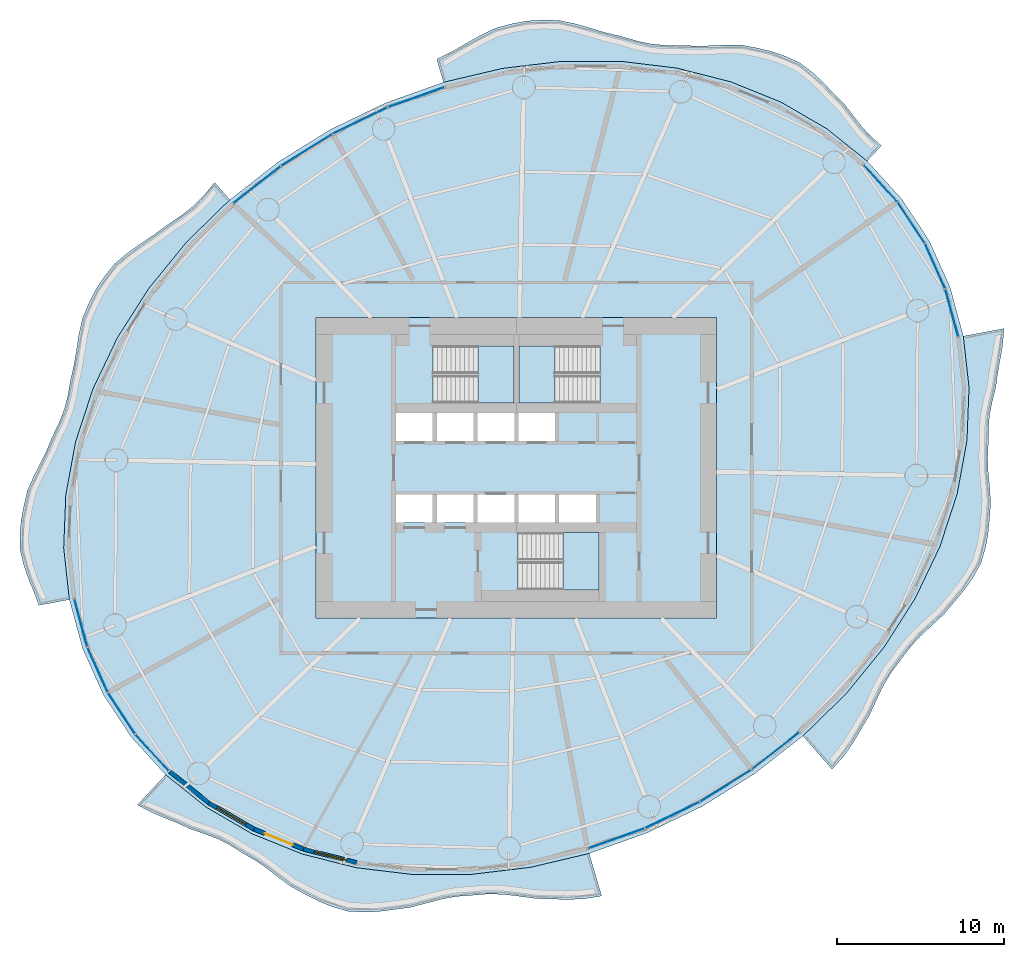
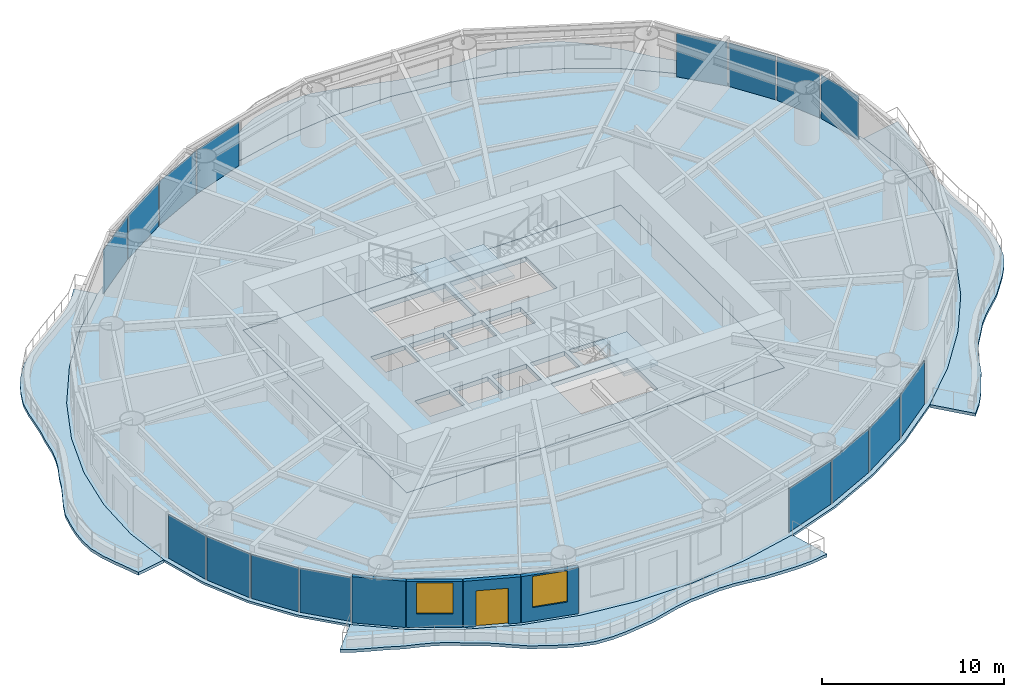
# One storey, part 7 of 14: 16 plates, 9 slabs, 4 walls, 2 windows, 1 door, 3 openings, 19 elements without a shape of their own.
"""IFC4 building model written with IfcOpenShell, lengths in metres."""

from ifc_helpers import new_model, si_unit, direction, frame, frame_2d, origin, origin_2d, place, context, subcontext, project, spatial, polyline, rectangle, outline, extrude, material, layer, layer_set, type_object, element, fill, aggregate, save


model = new_model("IFC4")

# Units and contexts
model_context = context("Model", 3, precision=1e-05, world=origin(), true_north=direction((0.0, 1.0)))
body_context = subcontext(model_context, "Body", "Model", "MODEL_VIEW")
ifc_project = project(units=[si_unit("LENGTHUNIT", "METRE"), si_unit("AREAUNIT", "SQUARE_METRE"), si_unit("VOLUMEUNIT", "CUBIC_METRE"), si_unit("PLANEANGLEUNIT", "RADIAN"), si_unit("MASSUNIT", "GRAM", prefix="KILO")], contexts=[model_context])

# Site, building, storey
site_placement = place(None, origin())
site = spatial("IfcSite", under=ifc_project, at=site_placement, CompositionType="ELEMENT")
building_placement = place(site_placement, origin())
building = spatial("IfcBuilding", under=site, at=building_placement, Name="Vermilion Reach Broadcast Tower", CompositionType="ELEMENT")
storey_placement = place(building_placement, frame((0.0, 0.0, 150.60009765625)))
storey = spatial("IfcBuildingStorey", under=building, at=storey_placement, Name="L35", CompositionType="ELEMENT", Elevation=150.60009765625)

# Slabs
ifc_material_1 = material(Name="Concrete C40/50", Category="concrete")
ifc_layer_1 = layer(ifc_material_1, 0.199951171875)
ifc_layer_set_1 = layer_set([ifc_layer_1], Name="Balcony slab 200")
slab_type_1 = type_object("IfcSlabType", Name="Balcony slab 200", PredefinedType="FLOOR", material=ifc_layer_set_1)
placement_1 = place(storey_placement, frame((0.0, 0.0, -0.2001953125)))
element("IfcSlab", 1, at=placement_1, inside=storey, type_object=slab_type_1, Name="Balcony slab L35 group 1", PredefinedType="FLOOR", context=body_context, shape_type="SweptSolid", body=[
    extrude(outline(polyline([(15.00537109375, 18.37841796875), (12.58544921875, 20.317138671875), (9.84765625, 21.907958984375), (6.838623046875, 23.1240234375), (3.60986328125, 23.944580078125), (0.216552734375, 24.355224609375), (-3.282958984375, 24.349365234375), (-6.828857421875, 23.9267578125), (-10.36083984375, 23.0947265625), (-10.76953125, 24.48388671875), (-9.861328125, 24.930419921875), (-9.0400390625, 25.400390625), (-8.218994140625, 25.87158203125), (-7.254638671875, 26.335205078125), (-6.24951171875, 26.6083984375), (-5.36962890625, 26.769287109375), (-4.477294921875, 26.826171875), (-3.4306640625, 26.80322265625), (-2.411865234375, 26.587890625), (-1.53662109375, 26.330810546875), (-0.6611328125, 26.06982421875), (0.304931640625, 25.842529296875), (1.224365234375, 25.570556640625), (2.06396484375, 25.39453125), (2.914794921875, 25.3134765625), (3.865478515625, 25.313720703125), (4.804931640625, 25.2666015625), (5.669921875, 25.2890625), (6.53955078125, 25.3291015625), (7.556396484375, 25.31640625), (8.523681640625, 25.128173828125), (9.3212890625, 24.9365234375), (10.08837890625, 24.6689453125), (10.99462890625, 24.251220703125), (11.77685546875, 23.652587890625), (12.367431640625, 23.09326171875), (12.93798828125, 22.4990234375), (13.619140625, 21.824951171875), (14.192138671875, 21.08251953125), (14.683349609375, 20.4560546875), (15.212158203125, 19.87646484375), (15.86279296875, 19.293701171875), (15.00537109375, 18.37841796875)])), origin(), (0.0, 0.0, 1.0), 0.2001953125),
])
element("IfcSlab", 2, at=placement_1, inside=storey, type_object=slab_type_1, Name="Balcony slab L35 group 2", PredefinedType="FLOOR", context=body_context, shape_type="SweptSolid", body=[
    extrude(outline(polyline([(-23.162841796875, 16.056640625), (-25.7578125, 13.5205078125), (-28.0146484375, 10.7529296875), (-29.89501953125, 7.80126953125), (-31.3662109375, 4.71630859375), (-32.403564453125, 1.550537109375), (-32.989013671875, -1.6416015625), (-33.11279296875, -4.805908203125), (-32.772705078125, -7.887939453125), (-34.5986328125, -8.233642578125), (-34.933349609375, -7.346435546875), (-35.237060546875, -6.60009765625), (-35.500244140625, -5.84912109375), (-35.724365234375, -4.8984375), (-35.72998046875, -3.911376953125), (-35.660400390625, -3.121826171875), (-35.512939453125, -2.335205078125), (-35.294677734375, -1.386474609375), (-34.892333984375, -0.4677734375), (-34.50341796875, 0.285888671875), (-34.12841796875, 1.0419921875), (-33.778076171875, 1.900146484375), (-33.36962890625, 2.74365234375), (-33.072998046875, 3.522705078125), (-32.86328125, 4.330322265625), (-32.704833984375, 5.25244140625), (-32.486328125, 6.197265625), (-32.3447265625, 7.076416015625), (-32.209716796875, 7.958740234375), (-31.986083984375, 8.96044921875), (-31.5830078125, 9.9140625), (-31.1845703125, 10.697509765625), (-30.701904296875, 11.42724609375), (-30.0576171875, 12.228759765625), (-29.24609375, 12.9091796875), (-28.4853515625, 13.440673828125), (-27.711181640625, 13.96142578125), (-26.900146484375, 14.564697265625), (-26.05712890625, 15.12451171875), (-25.340576171875, 15.689208984375), (-24.69873046875, 16.330078125), (-24.075927734375, 17.099609375), (-23.162841796875, 16.056640625)])), origin(), (0.0, 0.0, 1.0), 0.2001953125),
])
element("IfcSlab", 3, at=placement_1, inside=storey, type_object=slab_type_1, Name="Balcony slab L35 group 3", PredefinedType="FLOOR", context=body_context, shape_type="SweptSolid", body=[
    extrude(outline(polyline([(-27.00537109375, -18.37841796875), (-24.58544921875, -20.317138671875), (-21.84765625, -21.907958984375), (-18.838623046875, -23.1240234375), (-15.60986328125, -23.944580078125), (-12.216552734375, -24.355224609375), (-8.717041015625, -24.349365234375), (-5.171142578125, -23.9267578125), (-1.63916015625, -23.0947265625), (-0.890380859375, -25.63916015625), (-1.931396484375, -25.81005859375), (-2.853271484375, -25.853515625), (-3.791259765625, -25.828125), (-4.8408203125, -25.79443359375), (-5.8642578125, -25.65380859375), (-6.776123046875, -25.5478515625), (-7.678466796875, -25.5205078125), (-8.6416015625, -25.600830078125), (-9.589599609375, -25.67041015625), (-10.46435546875, -25.830810546875), (-11.3388671875, -26.058837890625), (-12.33349609375, -26.322509765625), (-13.331787109375, -26.457275390625), (-14.2060546875, -26.569580078125), (-15.072265625, -26.615234375), (-16.09716796875, -26.553955078125), (-17.0615234375, -26.27587890625), (-17.83935546875, -25.955322265625), (-18.599609375, -25.565673828125), (-19.484130859375, -25.095947265625), (-20.274169921875, -24.5107421875), (-20.93994140625, -23.99267578125), (-21.622314453125, -23.515869140625), (-22.4150390625, -23.06689453125), (-23.16015625, -22.591064453125), (-23.86767578125, -22.23291015625), (-24.61376953125, -21.94140625), (-25.4951171875, -21.64404296875), (-26.332275390625, -21.257568359375), (-27.08447265625, -20.956787109375), (-27.828857421875, -20.646240234375), (-28.69873046875, -20.186279296875), (-27.00537109375, -18.37841796875)])), origin(), (0.0, 0.0, 1.0), 0.2001953125),
])
element("IfcSlab", 4, at=placement_1, inside=storey, type_object=slab_type_1, Name="Balcony slab L35 group 4", PredefinedType="FLOOR", context=body_context, shape_type="SweptSolid", body=[
    extrude(outline(polyline([(11.162841796875, -16.056640625), (13.7578125, -13.5205078125), (16.0146484375, -10.7529296875), (17.89501953125, -7.80126953125), (19.3662109375, -4.71630859375), (20.403564453125, -1.550537109375), (20.989013671875, 1.6416015625), (21.11279296875, 4.805908203125), (20.772705078125, 7.887939453125), (23.20703125, 8.348876953125), (23.12939453125, 7.3681640625), (22.992919921875, 6.572998046875), (22.84375, 5.77685546875), (22.7216796875, 4.86279296875), (22.500244140625, 3.959228515625), (22.34619140625, 3.173095703125), (22.269287109375, 2.3837890625), (22.271484375, 1.499755859375), (22.225341796875, 0.590087890625), (22.26220703125, -0.24169921875), (22.3427734375, -1.081298828125), (22.41357421875, -2.061767578125), (22.336181640625, -3.060302734375), (22.25830078125, -3.9111328125), (22.1123046875, -4.73974609375), (21.83056640625, -5.702880859375), (21.333740234375, -6.601318359375), (20.8310546875, -7.308349609375), (20.267822265625, -7.986328125), (19.619384765625, -8.757080078125), (18.863525390625, -9.455810546875), (18.2021484375, -10.07177734375), (17.59814453125, -10.724365234375), (17.031005859375, -11.4873046875), (16.44677734375, -12.25732421875), (15.986083984375, -13.033447265625), (15.5869140625, -13.860107421875), (15.1572265625, -14.799560546875), (14.623291015625, -15.70361328125), (14.142333984375, -16.50927734375), (13.61181640625, -17.2646484375), (12.909912109375, -18.05224609375), (11.162841796875, -16.056640625)])), origin(), (0.0, 0.0, 1.0), 0.2001953125),
])
ifc_material_2 = material(Name="Concrete C40", Category="concrete")
ifc_layer_2 = layer(ifc_material_2, 0.300048828125)
ifc_layer_set_2 = layer_set([ifc_layer_2], Name="Core floor slab 300 mm Concrete C40")
slab_type_2 = type_object("IfcSlabType", Name="Core floor slab 300 mm Concrete C40", PredefinedType="FLOOR", material=ifc_layer_set_2)
slab_5_placement = place(storey_placement, frame((0.0, 0.0, -0.300048828125)))
element("IfcSlab", 5, at=slab_5_placement, inside=storey, type_object=slab_type_2, Name="L35 core floor", PredefinedType="FLOOR", context=body_context, shape_type="SweptSolid", body=[
    extrude(outline(polyline([(-18.0, -9.0), (6.0, -9.0), (6.0, 9.0), (-18.0, 9.0), (-18.0, -9.0)]), holes=[polyline([(-13.199951171875, 1.60009765625), (-11.00830078125, 1.60009765625), (-11.00830078125, 3.280029296875), (-13.199951171875, 3.280029296875), (-13.199951171875, 1.60009765625)]), polyline([(-10.75830078125, 1.60009765625), (-8.566650390625, 1.60009765625), (-8.566650390625, 3.280029296875), (-10.75830078125, 3.280029296875), (-10.75830078125, 1.60009765625)]), polyline([(-8.316650390625, 1.60009765625), (-6.125, 1.60009765625), (-6.125, 3.280029296875), (-8.316650390625, 3.280029296875), (-8.316650390625, 1.60009765625)]), polyline([(-5.875, 1.60009765625), (-3.683349609375, 1.60009765625), (-3.683349609375, 3.280029296875), (-5.875, 3.280029296875), (-5.875, 1.60009765625)]), polyline([(-13.199951171875, -3.280029296875), (-11.00830078125, -3.280029296875), (-11.00830078125, -1.60009765625), (-13.199951171875, -1.60009765625), (-13.199951171875, -3.280029296875)]), polyline([(-10.75830078125, -3.280029296875), (-8.566650390625, -3.280029296875), (-8.566650390625, -1.60009765625), (-10.75830078125, -1.60009765625), (-10.75830078125, -3.280029296875)]), polyline([(-8.316650390625, -3.280029296875), (-6.125, -3.280029296875), (-6.125, -1.60009765625), (-8.316650390625, -1.60009765625), (-8.316650390625, -3.280029296875)]), polyline([(-5.875, -3.280029296875), (-3.683349609375, -3.280029296875), (-3.683349609375, -1.60009765625), (-5.875, -1.60009765625), (-5.875, -3.280029296875)]), polyline([(-3.433349609375, -3.280029296875), (-1.24169921875, -3.280029296875), (-1.24169921875, -1.60009765625), (-3.433349609375, -1.60009765625), (-3.433349609375, -3.280029296875)]), polyline([(-10.999267578125, 3.8798828125), (-6.14990234375, 3.8798828125), (-6.14990234375, 7.300048828125), (-10.999267578125, 7.300048828125), (-10.999267578125, 3.8798828125)]), polyline([(-1.000732421875, 7.300048828125), (-5.85009765625, 7.300048828125), (-5.85009765625, 3.8798828125), (-1.000732421875, 3.8798828125), (-1.000732421875, 7.300048828125)]), polyline([(-5.8994140625, -7.300048828125), (-1.050048828125, -7.300048828125), (-1.050048828125, -3.8798828125), (-5.8994140625, -3.8798828125), (-5.8994140625, -7.300048828125)])]), origin(), (0.0, 0.0, 1.0), 0.300048828125),
])

# Stair, slab
ifc_material_3 = material(Name="Concrete C40", Category="concrete")
stair_type = type_object("IfcStairType", Name="Exit stair RC 22 risers 164 mm", PredefinedType="HALF_TURN_STAIR", material=ifc_material_3)
placement_2 = place(storey_placement, origin())
stair_1 = element("IfcStair", 6, at=placement_2, inside=storey, type_object=stair_type, Name="L35 Exit stair ST1", PredefinedType="HALF_TURN_STAIR")
ifc_material_4 = material(Name="Concrete C40", Category="concrete")
ifc_layer_3 = layer(ifc_material_4, 0.199951171875)
ifc_layer_set_3 = layer_set([ifc_layer_3], Name="Exit stair landing Concrete C40")
slab_type_3 = type_object("IfcSlabType", Name="Exit stair landing Concrete C40", PredefinedType="LANDING", material=ifc_layer_set_3)
placement_3 = place(storey_placement, frame((0.0, 0.0, 1.599853515625)))
slab_6 = element("IfcSlab", 7, at=placement_3, type_object=slab_type_3, Name="ST1 landing 1", PredefinedType="LANDING", context=body_context, shape_type="SweptSolid", body=[
    extrude(outline(polyline([(-8.300048828125, 3.8798828125), (-6.14990234375, 3.8798828125), (-6.14990234375, 7.300048828125), (-8.300048828125, 7.300048828125), (-8.300048828125, 3.8798828125)])), origin(), (0.0, 0.0, 1.0), 0.199951171875),
])
aggregate(stair_1, [slab_6])

stair_2 = element("IfcStair", 8, at=placement_2, inside=storey, type_object=stair_type, Name="L35 Exit stair ST2", PredefinedType="HALF_TURN_STAIR")
slab_7 = element("IfcSlab", 9, at=placement_3, type_object=slab_type_3, Name="ST2 landing 1", PredefinedType="LANDING", context=body_context, shape_type="SweptSolid", body=[
    extrude(outline(polyline([(-3.699951171875, 7.300048828125), (-5.85009765625, 7.300048828125), (-5.85009765625, 3.8798828125), (-3.699951171875, 3.8798828125), (-3.699951171875, 7.300048828125)])), origin(), (0.0, 0.0, 1.0), 0.199951171875),
])
aggregate(stair_2, [slab_7])

stair_3 = element("IfcStair", 10, at=placement_2, inside=storey, type_object=stair_type, Name="L35 Exit stair ST3", PredefinedType="HALF_TURN_STAIR")
slab_8 = element("IfcSlab", 11, at=placement_3, type_object=slab_type_3, Name="ST3 landing 1", PredefinedType="LANDING", context=body_context, shape_type="SweptSolid", body=[
    extrude(outline(polyline([(-3.199951171875, -7.300048828125), (-1.050048828125, -7.300048828125), (-1.050048828125, -3.8798828125), (-3.199951171875, -3.8798828125), (-3.199951171875, -7.300048828125)])), origin(), (0.0, 0.0, 1.0), 0.199951171875),
])
aggregate(stair_3, [slab_8])

# Slab
ifc_material_5 = material(Name="Concrete C40", Category="concrete")
ifc_layer_4 = layer(ifc_material_5, 0.14990234375)
ifc_layer_set_4 = layer_set([ifc_layer_4], Name="Floor slab Concrete C40 composite 150")
slab_type_4 = type_object("IfcSlabType", Name="Floor slab Concrete C40 composite 150", PredefinedType="FLOOR", material=ifc_layer_set_4)
slab_9_placement = place(storey_placement, frame((0.0, 0.0, -0.150146484375)))
element("IfcSlab", 12, at=slab_9_placement, inside=storey, type_object=slab_type_4, Name="Floor slab L35", PredefinedType="FLOOR", context=body_context, shape_type="SweptSolid", body=[
    extrude(outline(polyline([(18.731689453125, 13.596435546875), (17.06591796875, 16.12548828125), (15.00537109375, 18.37841796875), (12.58544921875, 20.317138671875), (9.84765625, 21.907958984375), (6.838623046875, 23.1240234375), (3.60986328125, 23.944580078125), (0.216552734375, 24.355224609375), (-3.282958984375, 24.349365234375), (-6.828857421875, 23.9267578125), (-10.36083984375, 23.0947265625), (-13.818115234375, 21.86767578125), (-17.1416015625, 20.266357421875), (-20.2744140625, 18.318359375), (-23.162841796875, 16.056640625), (-25.7578125, 13.5205078125), (-28.0146484375, 10.7529296875), (-29.89501953125, 7.80126953125), (-31.3662109375, 4.71630859375), (-32.403564453125, 1.550537109375), (-32.989013671875, -1.6416015625), (-33.11279296875, -4.805908203125), (-32.772705078125, -7.887939453125), (-31.974365234375, -10.834716796875), (-30.731689453125, -13.596435546875), (-29.06591796875, -16.12548828125), (-27.00537109375, -18.37841796875), (-24.58544921875, -20.317138671875), (-21.84765625, -21.907958984375), (-18.838623046875, -23.1240234375), (-15.60986328125, -23.944580078125), (-12.216552734375, -24.355224609375), (-8.717041015625, -24.349365234375), (-5.171142578125, -23.9267578125), (-1.63916015625, -23.0947265625), (1.818115234375, -21.86767578125), (5.1416015625, -20.266357421875), (8.2744140625, -18.318359375), (11.162841796875, -16.056640625), (13.7578125, -13.5205078125), (16.0146484375, -10.7529296875), (17.89501953125, -7.80126953125), (19.3662109375, -4.71630859375), (20.403564453125, -1.550537109375), (20.989013671875, 1.6416015625), (21.11279296875, 4.805908203125), (20.772705078125, 7.887939453125), (19.974365234375, 10.834716796875), (18.731689453125, 13.596435546875)]), holes=[polyline([(-18.0, -9.0), (6.0, -9.0), (6.0, 9.0), (-18.0, 9.0), (-18.0, -9.0)])]), origin(), (0.0, 0.0, 1.0), 0.150146484375),
])

# Curtain wall, plate
ifc_material_6 = material(Name="Low-e laminated clear glass in aluminium frame", Category="aluminium")
curtain_wall_type = type_object("IfcCurtainWallType", Name="Slot curtain wall", PredefinedType="NOTDEFINED", material=ifc_material_6)
curtain_wall_1 = element("IfcCurtainWall", 13, at=placement_2, inside=storey, type_object=curtain_wall_type, Name="Slot curtain wall L35 46", PredefinedType="NOTDEFINED")
ifc_material_7 = material(Name="Low-e laminated clear glass", Category="glass")
ifc_layer_5 = layer(ifc_material_7, 0.028076171875)
ifc_layer_set_5 = layer_set([ifc_layer_5], Name="Slot glass panel")
plate_type = type_object("IfcPlateType", Name="Slot glass panel", PredefinedType="CURTAIN_PANEL", material=ifc_layer_set_5)
plate_1_placement = place(storey_placement, frame((20.0849609375, 9.282958984375, 0.0), z_axis=(0.0, 0.0, 1.0), x_axis=(-0.261439177437, 0.965219952395, 0.0)))
plate_1 = element("IfcPlate", 14, at=plate_1_placement, type_object=plate_type, Name="Slot glass panel L35 46", PredefinedType="CURTAIN_PANEL", context=body_context, shape_type="SweptSolid", body=[
    extrude(rectangle(XDim=2.92626953125, YDim=0.028076171875, at=origin_2d()), origin(), (0.0, 0.0, 1.0), 2.949951171875),
])
aggregate(curtain_wall_1, [plate_1])

curtain_wall_2 = element("IfcCurtainWall", 15, at=placement_2, inside=storey, type_object=curtain_wall_type, Name="Slot curtain wall L35 47", PredefinedType="NOTDEFINED")
plate_2_placement = place(storey_placement, frame((19.080322265625, 12.0927734375, 0.0), z_axis=(0.0, 0.0, 1.0), x_axis=(-0.410349122658, 0.911928504617, 0.0)))
plate_2 = element("IfcPlate", 16, at=plate_2_placement, type_object=plate_type, Name="Slot glass panel L35 47", PredefinedType="CURTAIN_PANEL", context=body_context, shape_type="SweptSolid", body=[
    extrude(rectangle(XDim=2.900634765625, YDim=0.028076171875, at=origin_2d()), origin(), (0.0, 0.0, 1.0), 2.949951171875),
])
aggregate(curtain_wall_2, [plate_2])

curtain_wall_3 = element("IfcCurtainWall", 17, at=placement_2, inside=storey, type_object=curtain_wall_type, Name="Slot curtain wall L35 00", PredefinedType="NOTDEFINED")
plate_3_placement = place(storey_placement, frame((17.649169921875, 14.696533203125, 0.0), z_axis=(0.0, 0.0, 1.0), x_axis=(-0.550090388698, 0.835105121684, 0.0)))
plate_3 = element("IfcPlate", 18, at=plate_3_placement, type_object=plate_type, Name="Slot glass panel L35 00", PredefinedType="CURTAIN_PANEL", context=body_context, shape_type="SweptSolid", body=[
    extrude(rectangle(XDim=2.900634765625, YDim=0.028076171875, at=origin_2d()), origin(), (0.0, 0.0, 1.0), 2.949951171875),
])
aggregate(curtain_wall_3, [plate_3])

curtain_wall_4 = element("IfcCurtainWall", 19, at=placement_2, inside=storey, type_object=curtain_wall_type, Name="Slot curtain wall L35 01", PredefinedType="NOTDEFINED")
plate_4_placement = place(storey_placement, frame((15.81494140625, 17.05029296875, 0.0), z_axis=(0.0, 0.0, 1.0), x_axis=(-0.674876263406, 0.737930910784, 0.0)))
plate_4 = element("IfcPlate", 20, at=plate_4_placement, type_object=plate_type, Name="Slot glass panel L35 01", PredefinedType="CURTAIN_PANEL", context=body_context, shape_type="SweptSolid", body=[
    extrude(rectangle(XDim=2.92626953125, YDim=0.028076171875, at=origin_2d()), origin(), (0.0, 0.0, 1.0), 2.949951171875),
])
aggregate(curtain_wall_4, [plate_4])

curtain_wall_5 = element("IfcCurtainWall", 21, at=placement_2, inside=storey, type_object=curtain_wall_type, Name="Slot curtain wall L35 10", PredefinedType="NOTDEFINED")
plate_5_placement = place(storey_placement, frame((-11.9892578125, 22.198974609375, 0.0), z_axis=(0.0, 0.0, 1.0), x_axis=(-0.9423939057, -0.33450519652, 0.0)))
plate_5 = element("IfcPlate", 22, at=plate_5_placement, type_object=plate_type, Name="Slot glass panel L35 10", PredefinedType="CURTAIN_PANEL", context=body_context, shape_type="SweptSolid", body=[
    extrude(rectangle(XDim=3.555908203125, YDim=0.028076171875, at=origin_2d()), origin(), (0.0, 0.0, 1.0), 2.949951171875),
])
aggregate(curtain_wall_5, [plate_5])

curtain_wall_6 = element("IfcCurtainWall", 23, at=placement_2, inside=storey, type_object=curtain_wall_type, Name="Slot curtain wall L35 11", PredefinedType="NOTDEFINED")
plate_6_placement = place(storey_placement, frame((-15.349853515625, 20.797119140625, 0.0), z_axis=(0.0, 0.0, 1.0), x_axis=(-0.900882458543, -0.434063124315, 0.0)))
plate_6 = element("IfcPlate", 24, at=plate_6_placement, type_object=plate_type, Name="Slot glass panel L35 11", PredefinedType="CURTAIN_PANEL", context=body_context, shape_type="SweptSolid", body=[
    extrude(rectangle(XDim=3.576904296875, YDim=0.028076171875, at=origin_2d()), origin(), (0.0, 0.0, 1.0), 2.949951171875),
])
aggregate(curtain_wall_6, [plate_6])

curtain_wall_7 = element("IfcCurtainWall", 25, at=placement_2, inside=storey, type_object=curtain_wall_type, Name="Slot curtain wall L35 12", PredefinedType="NOTDEFINED")
plate_7_placement = place(storey_placement, frame((-18.5498046875, 19.037841796875, 0.0), z_axis=(0.0, 0.0, 1.0), x_axis=(-0.849208417505, -0.52805782225, 0.0)))
plate_7 = element("IfcPlate", 26, at=plate_7_placement, type_object=plate_type, Name="Slot glass panel L35 12", PredefinedType="CURTAIN_PANEL", context=body_context, shape_type="SweptSolid", body=[
    extrude(rectangle(XDim=3.576904296875, YDim=0.028076171875, at=origin_2d()), origin(), (0.0, 0.0, 1.0), 2.949951171875),
])
aggregate(curtain_wall_7, [plate_7])

curtain_wall_8 = element("IfcCurtainWall", 27, at=placement_2, inside=storey, type_object=curtain_wall_type, Name="Slot curtain wall L35 13", PredefinedType="NOTDEFINED")
plate_8_placement = place(storey_placement, frame((-21.533935546875, 16.95166015625, 0.0), z_axis=(0.0, 0.0, 1.0), x_axis=(-0.787392054251, -0.616452555273, 0.0)))
plate_8 = element("IfcPlate", 28, at=plate_8_placement, type_object=plate_type, Name="Slot glass panel L35 13", PredefinedType="CURTAIN_PANEL", context=body_context, shape_type="SweptSolid", body=[
    extrude(rectangle(XDim=3.555908203125, YDim=0.028076171875, at=origin_2d()), origin(), (0.0, 0.0, 1.0), 2.949951171875),
])
aggregate(curtain_wall_8, [plate_8])

curtain_wall_9 = element("IfcCurtainWall", 29, at=placement_2, inside=storey, type_object=curtain_wall_type, Name="Slot curtain wall L35 22", PredefinedType="NOTDEFINED")
plate_9_placement = place(storey_placement, frame((-32.0849609375, -9.282958984375, 0.0), z_axis=(0.0, 0.0, 1.0), x_axis=(0.261439177437, -0.965219952395, 0.0)))
plate_9 = element("IfcPlate", 30, at=plate_9_placement, type_object=plate_type, Name="Slot glass panel L35 22", PredefinedType="CURTAIN_PANEL", context=body_context, shape_type="SweptSolid", body=[
    extrude(rectangle(XDim=2.92626953125, YDim=0.028076171875, at=origin_2d()), origin(), (0.0, 0.0, 1.0), 2.949951171875),
])
aggregate(curtain_wall_9, [plate_9])

curtain_wall_10 = element("IfcCurtainWall", 31, at=placement_2, inside=storey, type_object=curtain_wall_type, Name="Slot curtain wall L35 23", PredefinedType="NOTDEFINED")
plate_10_placement = place(storey_placement, frame((-31.080322265625, -12.0927734375, 0.0), z_axis=(0.0, 0.0, 1.0), x_axis=(0.410349122658, -0.911928504617, 0.0)))
plate_10 = element("IfcPlate", 32, at=plate_10_placement, type_object=plate_type, Name="Slot glass panel L35 23", PredefinedType="CURTAIN_PANEL", context=body_context, shape_type="SweptSolid", body=[
    extrude(rectangle(XDim=2.900634765625, YDim=0.028076171875, at=origin_2d()), origin(), (0.0, 0.0, 1.0), 2.949951171875),
])
aggregate(curtain_wall_10, [plate_10])

curtain_wall_11 = element("IfcCurtainWall", 33, at=placement_2, inside=storey, type_object=curtain_wall_type, Name="Slot curtain wall L35 24", PredefinedType="NOTDEFINED")
plate_11_placement = place(storey_placement, frame((-29.649169921875, -14.696533203125, 0.0), z_axis=(0.0, 0.0, 1.0), x_axis=(0.550090388698, -0.835105121684, 0.0)))
plate_11 = element("IfcPlate", 34, at=plate_11_placement, type_object=plate_type, Name="Slot glass panel L35 24", PredefinedType="CURTAIN_PANEL", context=body_context, shape_type="SweptSolid", body=[
    extrude(rectangle(XDim=2.900634765625, YDim=0.028076171875, at=origin_2d()), origin(), (0.0, 0.0, 1.0), 2.949951171875),
])
aggregate(curtain_wall_11, [plate_11])

curtain_wall_12 = element("IfcCurtainWall", 35, at=placement_2, inside=storey, type_object=curtain_wall_type, Name="Slot curtain wall L35 25", PredefinedType="NOTDEFINED")
plate_12_placement = place(storey_placement, frame((-27.81494140625, -17.05029296875, 0.0), z_axis=(0.0, 0.0, 1.0), x_axis=(0.674876263406, -0.737930910784, 0.0)))
plate_12 = element("IfcPlate", 36, at=plate_12_placement, type_object=plate_type, Name="Slot glass panel L35 25", PredefinedType="CURTAIN_PANEL", context=body_context, shape_type="SweptSolid", body=[
    extrude(rectangle(XDim=2.92626953125, YDim=0.028076171875, at=origin_2d()), origin(), (0.0, 0.0, 1.0), 2.949951171875),
])
aggregate(curtain_wall_12, [plate_12])

curtain_wall_13 = element("IfcCurtainWall", 37, at=placement_2, inside=storey, type_object=curtain_wall_type, Name="Slot curtain wall L35 34", PredefinedType="NOTDEFINED")
plate_13_placement = place(storey_placement, frame((-0.0107421875, -22.198974609375, 0.0), z_axis=(0.0, 0.0, 1.0), x_axis=(0.9423939057, 0.33450519652, 0.0)))
plate_13 = element("IfcPlate", 38, at=plate_13_placement, type_object=plate_type, Name="Slot glass panel L35 34", PredefinedType="CURTAIN_PANEL", context=body_context, shape_type="SweptSolid", body=[
    extrude(rectangle(XDim=3.555908203125, YDim=0.028076171875, at=origin_2d()), origin(), (0.0, 0.0, 1.0), 2.949951171875),
])
aggregate(curtain_wall_13, [plate_13])

curtain_wall_14 = element("IfcCurtainWall", 39, at=placement_2, inside=storey, type_object=curtain_wall_type, Name="Slot curtain wall L35 35", PredefinedType="NOTDEFINED")
plate_14_placement = place(storey_placement, frame((3.349853515625, -20.797119140625, 0.0), z_axis=(0.0, 0.0, 1.0), x_axis=(0.900882458543, 0.434063124315, 0.0)))
plate_14 = element("IfcPlate", 40, at=plate_14_placement, type_object=plate_type, Name="Slot glass panel L35 35", PredefinedType="CURTAIN_PANEL", context=body_context, shape_type="SweptSolid", body=[
    extrude(rectangle(XDim=3.576904296875, YDim=0.028076171875, at=origin_2d()), origin(), (0.0, 0.0, 1.0), 2.949951171875),
])
aggregate(curtain_wall_14, [plate_14])

curtain_wall_15 = element("IfcCurtainWall", 41, at=placement_2, inside=storey, type_object=curtain_wall_type, Name="Slot curtain wall L35 36", PredefinedType="NOTDEFINED")
plate_15_placement = place(storey_placement, frame((6.5498046875, -19.037841796875, 0.0), z_axis=(0.0, 0.0, 1.0), x_axis=(0.849208417505, 0.52805782225, 0.0)))
plate_15 = element("IfcPlate", 42, at=plate_15_placement, type_object=plate_type, Name="Slot glass panel L35 36", PredefinedType="CURTAIN_PANEL", context=body_context, shape_type="SweptSolid", body=[
    extrude(rectangle(XDim=3.576904296875, YDim=0.028076171875, at=origin_2d()), origin(), (0.0, 0.0, 1.0), 2.949951171875),
])
aggregate(curtain_wall_15, [plate_15])

curtain_wall_16 = element("IfcCurtainWall", 43, at=placement_2, inside=storey, type_object=curtain_wall_type, Name="Slot curtain wall L35 37", PredefinedType="NOTDEFINED")
plate_16_placement = place(storey_placement, frame((9.533935546875, -16.95166015625, 0.0), z_axis=(0.0, 0.0, 1.0), x_axis=(0.787392054251, 0.616452555273, 0.0)))
plate_16 = element("IfcPlate", 44, at=plate_16_placement, type_object=plate_type, Name="Slot glass panel L35 37", PredefinedType="CURTAIN_PANEL", context=body_context, shape_type="SweptSolid", body=[
    extrude(rectangle(XDim=3.555908203125, YDim=0.028076171875, at=origin_2d()), origin(), (0.0, 0.0, 1.0), 2.949951171875),
])
aggregate(curtain_wall_16, [plate_16])

# Wall
ifc_material_8 = material(Name="Terracotta rainscreen cladding", Category="masonry")
ifc_layer_6 = layer(ifc_material_8, 0.25)
ifc_layer_set_6 = layer_set([ifc_layer_6], Name="Terracotta rainscreen wall 250")
wall_type = type_object("IfcWallType", Name="Terracotta rainscreen wall 250", PredefinedType="SOLIDWALL", material=ifc_layer_set_6)
wall_1_placement = place(storey_placement, frame((-26.757568359375, -18.19384765625, 0.0), z_axis=(0.0, 0.0, 1.0), x_axis=(0.780485864534, -0.625173428148, 0.0)))
element("IfcWall", 45, at=wall_1_placement, inside=storey, type_object=wall_type, Name="External wall L35 26", PredefinedType="SOLIDWALL", context=body_context, shape_type="SweptSolid", body=[
    extrude(rectangle(XDim=2.986572265625, YDim=0.25, at=frame_2d((1.4931640625, 0.0))), origin(), (0.0, 0.0, 1.0), 3.099853515625),
])

# Wall, opening, window
wall_2_placement = place(storey_placement, frame((-24.404541015625, -20.076171875, 0.0), z_axis=(0.0, 0.0, 1.0), x_axis=(0.864615512978, -0.502434089925, 0.0)))
wall_2 = element("IfcWall", 46, at=wall_2_placement, inside=storey, type_object=wall_type, Name="External wall L35 27", PredefinedType="SOLIDWALL", context=body_context, shape_type="SweptSolid", body=[
    extrude(rectangle(XDim=3.0966796875, YDim=0.25, at=frame_2d((1.54833984375, 0.0))), origin(), (0.0, 0.0, 1.0), 3.099853515625),
])
opening_1_placement = place(wall_2_placement, frame((0.54833984375, 0.0, 0.89990234375)))
opening_1 = element("IfcOpeningElement", 47, at=opening_1_placement, cuts=wall_2, Name="Opening W03", PredefinedType="OPENING", context=body_context, shape_type="SweptSolid", body=[
    extrude(rectangle(XDim=2.0, YDim=2.10009765625, at=frame_2d((1.0, 1.050048828125))), frame((0.0, 0.135009765625, 0.0), z_axis=(0.0, -1.0, 0.0), x_axis=(1.0, 0.0, 0.0)), (0.0, 0.0, 1.0), 0.27001953125),
])
ifc_material_9 = material(Name="Low-e laminated clear glass in aluminium frame", Category="aluminium")
window_type = type_object("IfcWindowType", Name="Punched window 2000 x 2100 sill 900", PartitioningType="SINGLE_PANEL", PredefinedType="WINDOW", material=ifc_material_9)
window_1_placement = place(opening_1_placement, origin())
window_1 = element("IfcWindow", 48, at=window_1_placement, inside=storey, type_object=window_type, Name="Window L35 27", OverallHeight=2.10009765625, OverallWidth=2.0, PartitioningType="SINGLE_PANEL", PredefinedType="WINDOW", context=body_context, shape_type="SweptSolid", body=[
    extrude(rectangle(XDim=2.0, YDim=2.10009765625, at=frame_2d((1.0, 1.050048828125))), frame((0.0, 0.030029296875, 0.0), z_axis=(0.0, -1.0, 0.0), x_axis=(1.0, 0.0, 0.0)), (0.0, 0.0, 1.0), 0.06005859375),
])
fill(opening_1, window_1)

# Wall, opening, door
wall_3_placement = place(storey_placement, frame((-21.703857421875, -21.643310546875, 0.0), z_axis=(0.0, 0.0, 1.0), x_axis=(0.927146406079, -0.374699268339, 0.0)))
wall_3 = element("IfcWall", 49, at=wall_3_placement, inside=storey, type_object=wall_type, Name="External wall L35 28", PredefinedType="SOLIDWALL", context=body_context, shape_type="SweptSolid", body=[
    extrude(rectangle(XDim=3.17822265625, YDim=0.25, at=frame_2d((1.589111328125, 0.0))), origin(), (0.0, 0.0, 1.0), 3.099853515625),
])
opening_2_placement = place(wall_3_placement, frame((0.68896484375, 0.0, 0.0)))
opening_2 = element("IfcOpeningElement", 50, at=opening_2_placement, cuts=wall_3, Name="Opening D70", PredefinedType="OPENING", context=body_context, shape_type="SweptSolid", body=[
    extrude(rectangle(XDim=1.800048828125, YDim=2.39990234375, at=frame_2d((0.89990234375, 1.199951171875))), frame((0.0, 0.135009765625, 0.0), z_axis=(0.0, -1.0, 0.0), x_axis=(1.0, 0.0, 0.0)), (0.0, 0.0, 1.0), 0.27001953125),
])
ifc_material_10 = material(Name="Low-e laminated clear glass in aluminium frame", Category="aluminium")
door_type = type_object("IfcDoorType", Name="Balcony sliding door 1800 x 2400", OperationType="DOUBLE_DOOR_SLIDING", PredefinedType="DOOR", material=ifc_material_10)
door_placement = place(opening_2_placement, origin())
door = element("IfcDoor", 51, at=door_placement, inside=storey, type_object=door_type, Name="Balcony door L35 run 07", OperationType="DOUBLE_DOOR_SLIDING", OverallHeight=2.39990234375, OverallWidth=1.800048828125, PredefinedType="DOOR", context=body_context, shape_type="SweptSolid", body=[
    extrude(rectangle(XDim=1.800048828125, YDim=2.39990234375, at=frame_2d((0.89990234375, 1.199951171875))), frame((0.0, 0.02490234375, 0.0), z_axis=(0.0, -1.0, 0.0), x_axis=(1.0, 0.0, 0.0)), (0.0, 0.0, 1.0), 0.050048828125),
])
fill(opening_2, door)

# Wall, opening, window
wall_4_placement = place(storey_placement, frame((-18.7333984375, -22.842041015625, 0.0), z_axis=(0.0, 0.0, 1.0), x_axis=(0.969199069112, -0.246278631701, 0.0)))
wall_4 = element("IfcWall", 52, at=wall_4_placement, inside=storey, type_object=wall_type, Name="External wall L35 29", PredefinedType="SOLIDWALL", context=body_context, shape_type="SweptSolid", body=[
    extrude(rectangle(XDim=3.267333984375, YDim=0.25, at=frame_2d((1.6337890625, 0.0))), origin(), (0.0, 0.0, 1.0), 3.099853515625),
])
opening_3_placement = place(wall_4_placement, frame((0.6337890625, 0.0, 0.89990234375)))
opening_3 = element("IfcOpeningElement", 53, at=opening_3_placement, cuts=wall_4, Name="Opening W03", PredefinedType="OPENING", context=body_context, shape_type="SweptSolid", body=[
    extrude(rectangle(XDim=2.0, YDim=2.10009765625, at=frame_2d((1.0, 1.050048828125))), frame((0.0, 0.135009765625, 0.0), z_axis=(0.0, -1.0, 0.0), x_axis=(1.0, 0.0, 0.0)), (0.0, 0.0, 1.0), 0.27001953125),
])
window_2_placement = place(opening_3_placement, origin())
window_2 = element("IfcWindow", 54, at=window_2_placement, inside=storey, type_object=window_type, Name="Window L35 29", OverallHeight=2.10009765625, OverallWidth=2.0, PartitioningType="SINGLE_PANEL", PredefinedType="WINDOW", context=body_context, shape_type="SweptSolid", body=[
    extrude(rectangle(XDim=2.0, YDim=2.10009765625, at=frame_2d((1.0, 1.050048828125))), frame((0.0, 0.030029296875, 0.0), z_axis=(0.0, -1.0, 0.0), x_axis=(1.0, 0.0, 0.0)), (0.0, 0.0, 1.0), 0.06005859375),
])
fill(opening_3, window_2)

save(model, "model.ifc")
